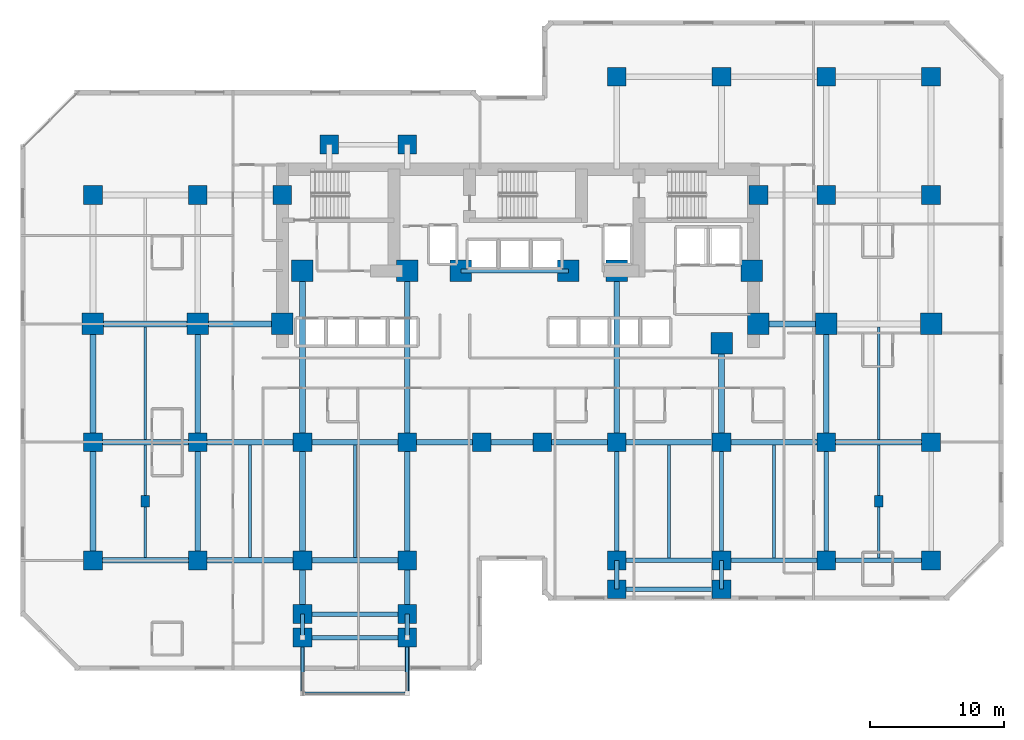
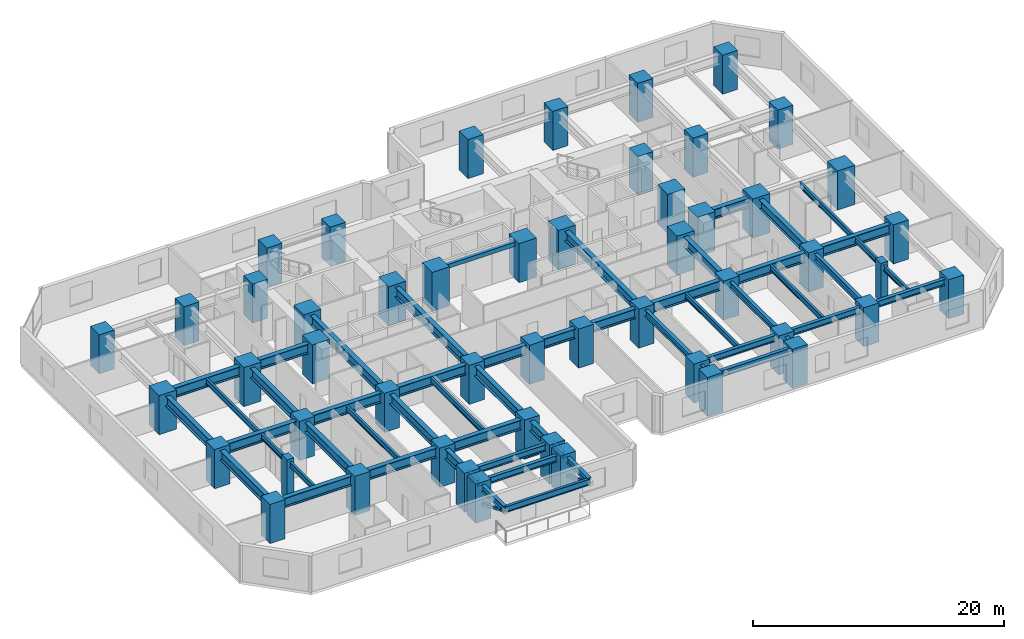
# One storey, part 1 of 12: 53 beams, 51 columns, 2 members.
"""IFC4 building model written with IfcOpenShell, lengths in metres."""

import ifcopenshell
import ifcopenshell.guid

model = None  # the IFC model being written
_history = None  # IfcOwnerHistory: only IFC2X3 demands one
_inside = {}  # id of a spatial element -> (the spatial element, [elements in it])
_under = {}  # id of a project, library or spatial element -> (it, [spatial elements below it])
_declared = {}  # id of a project -> (the project, [libraries it declares])
_typed = {}  # id of a type object -> (the type object, [elements of that type])
_made_of = {}  # id of a material, layer set ... -> (it, [elements and type objects made of it])


def new_model(schema):
    """Start an empty IFC model of exactly this schema.

    Asked for "IFC4X3", IfcOpenShell would pick the latest addendum, in which some entities
    have other attributes; the version numbers below select the first issue.
    IFC2X3 requires an IfcOwnerHistory on every rooted entity: one is made here for all.
    """
    global model, _history
    if schema == "IFC4X3":
        model = ifcopenshell.file(schema_version=(4, 3, 0, 0))
    else:
        model = ifcopenshell.file(schema=schema)
    _inside.clear()
    _under.clear()
    _declared.clear()
    _typed.clear()
    _made_of.clear()
    _history = None
    if model.schema == "IFC2X3":
        org = make("IfcOrganization", Name="unknown")
        user = make(
            "IfcPersonAndOrganization",
            ThePerson=make("IfcPerson", FamilyName="unknown"),
            TheOrganization=org,
        )
        app = make(
            "IfcApplication",
            ApplicationDeveloper=org,
            Version="unknown",
            ApplicationFullName="unknown",
            ApplicationIdentifier="unknown",
        )
        _history = make(
            "IfcOwnerHistory",
            OwningUser=user,
            OwningApplication=app,
            ChangeAction="ADDED",
            CreationDate=0,
        )
    return model


def make(cls, **values):
    """One entity of the class cls with the attributes given. An attribute that is None is left unset."""
    return model.create_entity(
        cls, **{name: value for name, value in values.items() if value is not None}
    )


def rooted(cls, **values):
    """An entity with a GlobalId (a new one), such as an element, a storey or a relation."""
    return make(cls, GlobalId=ifcopenshell.guid.new(), OwnerHistory=_history, **values)


def si_unit(unit_type, name, prefix=None):
    """IfcSIUnit, for example si_unit("LENGTHUNIT", "METRE", prefix="MILLI")."""
    return make("IfcSIUnit", UnitType=unit_type, Prefix=prefix, Name=name)


def assignment(units):
    """IfcUnitAssignment: the units of a project."""
    return None if units is None else make("IfcUnitAssignment", Units=units)


def point(xyz):
    """IfcCartesianPoint."""
    return None if xyz is None else make("IfcCartesianPoint", Coordinates=xyz)


def direction(xyz):
    """IfcDirection."""
    return None if xyz is None else make("IfcDirection", DirectionRatios=xyz)


def frame(location, z_axis=None, x_axis=None):
    """IfcAxis2Placement3D, a coordinate frame: its origin and axes. An axis left out is left unset."""
    return make(
        "IfcAxis2Placement3D",
        Location=point(location),
        Axis=direction(z_axis),
        RefDirection=direction(x_axis),
    )


def frame_2d(location, x_axis=None):
    """IfcAxis2Placement2D, a coordinate frame in the plane: its origin and x axis."""
    return make(
        "IfcAxis2Placement2D", Location=point(location), RefDirection=direction(x_axis)
    )


def origin():
    """The frame at (0, 0, 0) with its axes left unset."""
    return frame((0.0, 0.0, 0.0))


def origin_2d():
    """The frame at (0, 0) in the plane with its x axis left unset."""
    return frame_2d((0.0, 0.0))


def place(relative_to, where):
    """IfcLocalPlacement: puts the frame where relative to a parent placement (None: the world)."""
    return make(
        "IfcLocalPlacement", PlacementRelTo=relative_to, RelativePlacement=where
    )


def context(
    kind, dimensions, precision=None, world=None, true_north=None, identifier=None
):
    """IfcGeometricRepresentationContext, for example the 3D "Model" context."""
    return make(
        "IfcGeometricRepresentationContext",
        ContextIdentifier=identifier,
        ContextType=kind,
        CoordinateSpaceDimension=dimensions,
        Precision=precision,
        WorldCoordinateSystem=world,
        TrueNorth=true_north,
    )


def subcontext(parent, identifier, kind, view, scale=None):
    """IfcGeometricRepresentationSubContext, for example "Body" below "Model"."""
    return make(
        "IfcGeometricRepresentationSubContext",
        ContextIdentifier=identifier,
        ContextType=kind,
        ParentContext=parent,
        TargetScale=scale,
        TargetView=view,
    )


def project(units=None, contexts=None):
    """IfcProject with its units and contexts."""
    return rooted(
        "IfcProject",
        Name="project",
        RepresentationContexts=contexts,
        UnitsInContext=assignment(units),
    )


def spatial(cls, under=None, at=None, **own):
    """A site, building, storey or space (cls), placed at a placement, below another one or the project."""
    s = rooted(cls, ObjectPlacement=at, **own)
    if under is not None:
        _under.setdefault(under.id(), (under, []))[1].append(s)
    return s


def profile(cls, at=None, kind="AREA", **sizes):
    """A parametric profile (cls). Its sizes go by their IFC names, for example OverallWidth=200.0."""
    return make(cls, ProfileType=kind, Position=at, **sizes)


def rectangle(**sizes):
    """IfcRectangleProfileDef."""
    return profile("IfcRectangleProfileDef", **sizes)


def hollow_rectangle(**sizes):
    """IfcRectangleHollowProfileDef."""
    return profile("IfcRectangleHollowProfileDef", **sizes)


def i_section(**sizes):
    """IfcIShapeProfileDef."""
    return profile("IfcIShapeProfileDef", **sizes)


def extrude(swept, where, along, depth):
    """IfcExtrudedAreaSolid: the profile swept, set in the frame where, extruded along a direction by depth."""
    return make(
        "IfcExtrudedAreaSolid",
        SweptArea=swept,
        Position=where,
        ExtrudedDirection=direction(along),
        Depth=depth,
    )


def shape(context_of_items, identifier, shape_type, items):
    """IfcShapeRepresentation: the items that make up one representation, for example the "Body"."""
    return make(
        "IfcShapeRepresentation",
        ContextOfItems=context_of_items,
        RepresentationIdentifier=identifier,
        RepresentationType=shape_type,
        Items=items,
    )


def material(Name=None, Category=None):
    """IfcMaterial."""
    return make("IfcMaterial", Name=Name, Category=Category)


def material_profile(
    of_material, cross_section, Name=None, Category=None, Priority=None
):
    """IfcMaterialProfile: a cross section and its material."""
    return make(
        "IfcMaterialProfile",
        Name=Name,
        Material=of_material,
        Profile=cross_section,
        Priority=Priority,
        Category=Category,
    )


def profile_set(profiles, Name=None, composite=None):
    """IfcMaterialProfileSet."""
    return make(
        "IfcMaterialProfileSet",
        Name=Name,
        MaterialProfiles=profiles,
        CompositeProfile=composite,
    )


def made_of(thing, what):
    """Note that an element or type object is made of a material, layer set ...; save() writes the relation."""
    if what is not None:
        _made_of.setdefault(what.id(), (what, []))[1].append(thing)
    return thing


def type_object(cls, material=None, **own):
    """A type object (cls), such as IfcWallType, which elements share."""
    return made_of(rooted(cls, **own), material)


def element(
    cls,
    number,
    at=None,
    inside=None,
    cuts=None,
    type_object=None,
    material=None,
    context=None,
    identifier="Body",
    shape_type=None,
    held_by="IfcProductDefinitionShape",
    body=None,
    shapes=None,
    **own,
):
    """One element of the class cls, such as IfcWall. Its Tag is "e" and its number.

    at: its placement. inside: the storey or other place that contains it. cuts: it is an
    opening in that element (IfcRelVoidsElement). A single representation is given by context,
    identifier, shape_type and body (its items); several are given by shapes. held_by: the class
    of the entity that holds the representations. save() writes the other relations.
    """
    e = rooted(cls, Tag="e%d" % number, ObjectPlacement=at, **own)
    if body is not None:
        shapes = [shape(context, identifier, shape_type, body)]
    if shapes is not None:
        e.Representation = make(held_by, Representations=shapes)
    if inside is not None:
        _inside.setdefault(inside.id(), (inside, []))[1].append(e)
    if cuts is not None:
        rooted(
            "IfcRelVoidsElement", RelatingBuildingElement=cuts, RelatedOpeningElement=e
        )
    if type_object is not None:
        _typed.setdefault(type_object.id(), (type_object, []))[1].append(e)
    return made_of(e, material)


def aggregate(whole, parts):
    """IfcRelAggregates: a whole, such as a stair, and the parts it consists of."""
    return rooted("IfcRelAggregates", RelatingObject=whole, RelatedObjects=parts)


def save(model, path):
    """Write the relations noted so far, then the file.

    IfcRelAggregates (storeys below a building ...), IfcRelContainedInSpatialStructure (elements
    in a storey), IfcRelDefinesByType, IfcRelAssociatesMaterial and IfcRelDeclares: one each for
    every whole, place, type object, material and project.
    """
    for whole, parts in _under.values():
        aggregate(whole, parts)
    for where, things in _inside.values():
        rooted(
            "IfcRelContainedInSpatialStructure",
            RelatedElements=things,
            RelatingStructure=where,
        )
    for kind, things in _typed.values():
        rooted("IfcRelDefinesByType", RelatedObjects=things, RelatingType=kind)
    for what, things in _made_of.values():
        rooted("IfcRelAssociatesMaterial", RelatedObjects=things, RelatingMaterial=what)
    for by, libraries in _declared.values():
        rooted("IfcRelDeclares", RelatingContext=by, RelatedDefinitions=libraries)
    model.write(path)


model = new_model("IFC4")

# Units and contexts
model_context = context("Model", 3, precision=1e-05, world=origin(), true_north=direction((0.0, 1.0)))
body_context = subcontext(model_context, "Body", "Model", "MODEL_VIEW")
ifc_project = project(units=[si_unit("LENGTHUNIT", "METRE"), si_unit("AREAUNIT", "SQUARE_METRE"), si_unit("VOLUMEUNIT", "CUBIC_METRE"), si_unit("PLANEANGLEUNIT", "RADIAN"), si_unit("MASSUNIT", "GRAM", prefix="KILO")], contexts=[model_context])

# Site, building, storey
site_placement = place(None, origin())
site = spatial("IfcSite", under=ifc_project, at=site_placement, CompositionType="ELEMENT")
building_placement = place(site_placement, origin())
building = spatial("IfcBuilding", under=site, at=building_placement, Name="Kestravale Grand Hotel", CompositionType="ELEMENT")
storey_placement = place(building_placement, frame((0.0, 0.0, 67.800048828125)))
storey = spatial("IfcBuildingStorey", under=building, at=storey_placement, Name="L16", CompositionType="ELEMENT", Elevation=67.800048828125)

# Columns
ifc_material_1 = material(Name="Concrete f'c 70 MPa", Category="concrete")
ifc_material_profile_1 = material_profile(ifc_material_1, rectangle(XDim=1.39990234375, YDim=1.39990234375, at=origin_2d()))
ifc_profile_set_1 = profile_set([ifc_material_profile_1], Name="Concrete f'c 70 MPa")
column_type_1 = type_object("IfcColumnType", Name="C-Z1-1400", PredefinedType="COLUMN", material=ifc_profile_set_1)
for number, where, z_axis, x_axis, name in (
    (1, (7.800048828125, 11.199951171875, 0.0), (0.0, 0.0, 1.0), (1.0, 0.0, 0.0), "L16 column 2-C"),
    (2, (7.800048828125, 20.0, 0.0), (0.0, 0.0, 1.0), (1.0, 0.0, 0.0), "L16 column 2-D"),
    (3, (7.800048828125, 38.39990234375, 0.0), (0.0, 0.0, 1.0), (1.0, 0.0, 0.0), "L16 column 2-F"),
    (4, (15.60009765625, 11.199951171875, 0.0), (0.0, 0.0, 1.0), (1.0, 0.0, 0.0), "L16 column 3-C"),
    (5, (15.60009765625, 20.0, 0.0), (0.0, 0.0, 1.0), (1.0, 0.0, 0.0), "L16 column 3-D"),
    (6, (15.60009765625, 38.39990234375, 0.0), (0.0, 0.0, 1.0), (1.0, 0.0, 0.0), "L16 column 3-F"),
    (7, (23.39990234375, 11.199951171875, 0.0), (0.0, 0.0, 1.0), (1.0, 0.0, 0.0), "L16 column 4-C"),
    (8, (23.39990234375, 20.0, 0.0), (0.0, 0.0, 1.0), (1.0, 0.0, 0.0), "L16 column 4-D"),
    (9, (31.199951171875, 11.199951171875, 0.0), (0.0, 0.0, 1.0), (1.0, 0.0, 0.0), "L16 column 5-C"),
    (10, (31.199951171875, 20.0, 0.0), (0.0, 0.0, 1.0), (1.0, 0.0, 0.0), "L16 column 5-D"),
    (11, (36.75, 20.0, 0.0), (0.0, 0.0, 1.0), (1.0, 0.0, 0.0), "L16 column 6-D"),
    (12, (41.25, 20.0, 0.0), (0.0, 0.0, 1.0), (1.0, 0.0, 0.0), "L16 column 7-D"),
    (13, (46.800048828125, 11.199951171875, 0.0), (0.0, 0.0, 1.0), (1.0, 0.0, 0.0), "L16 column 8-C"),
    (14, (46.800048828125, 20.0, 0.0), (0.0, 0.0, 1.0), (1.0, 0.0, 0.0), "L16 column 8-D"),
    (15, (46.800048828125, 47.199951171875, 0.0), (0.0, 0.0, 1.0), (1.0, 0.0, 0.0), "L16 column 8-G"),
    (16, (54.60009765625, 11.199951171875, 0.0), (0.0, 0.0, 1.0), (1.0, 0.0, 0.0), "L16 column 9-C"),
    (17, (54.60009765625, 20.0, 0.0), (0.0, 0.0, 1.0), (1.0, 0.0, 0.0), "L16 column 9-D"),
    (18, (54.60009765625, 47.199951171875, 0.0), (0.0, 0.0, 1.0), (1.0, 0.0, 0.0), "L16 column 9-G"),
    (19, (62.39990234375, 11.199951171875, 0.0), (0.0, 0.0, 1.0), (1.0, 0.0, 0.0), "L16 column 10-C"),
    (20, (62.39990234375, 20.0, 0.0), (0.0, 0.0, 1.0), (1.0, 0.0, 0.0), "L16 column 10-D"),
    (21, (62.39990234375, 38.39990234375, 0.0), (0.0, 0.0, 1.0), (1.0, 0.0, 0.0), "L16 column 10-F"),
    (22, (62.39990234375, 47.199951171875, 0.0), (0.0, 0.0, 1.0), (1.0, 0.0, 0.0), "L16 column 10-G"),
    (23, (70.199951171875, 11.199951171875, 0.0), (0.0, 0.0, 1.0), (1.0, 0.0, 0.0), "L16 column 11-C"),
    (24, (70.199951171875, 20.0, 0.0), (0.0, 0.0, 1.0), (1.0, 0.0, 0.0), "L16 column 11-D"),
    (25, (70.199951171875, 38.39990234375, 0.0), (0.0, 0.0, 1.0), (1.0, 0.0, 0.0), "L16 column 11-F"),
    (26, (70.199951171875, 47.199951171875, 0.0), (0.0, 0.0, 1.0), (1.0, 0.0, 0.0), "L16 column 11-G"),
    (27, (21.89990234375, 38.39990234375, 0.0), (0.0, 0.0, 1.0), (1.0, 0.0, 0.0), "L16 column CW-F"),
    (28, (57.35009765625, 38.39990234375, 0.0), (0.0, 0.0, 1.0), (1.0, 0.0, 0.0), "L16 column CE-F"),
    (29, (23.39990234375, 7.199951171875, 0.0), (0.0, 0.0, 1.0), (1.0, 0.0, 0.0), "L16 column 4-BS"),
    (30, (31.199951171875, 7.199951171875, 0.0), (0.0, 0.0, 1.0), (1.0, 0.0, 0.0), "L16 column 5-BS"),
    (31, (25.39990234375, 42.14990234375, 0.0), (0.0, 0.0, 1.0), (1.0, 0.0, 0.0), "L16 column 4-FN"),
    (32, (31.199951171875, 42.14990234375, 0.0), (0.0, 0.0, 1.0), (1.0, 0.0, 0.0), "L16 column 5-FN"),
    (33, (23.39990234375, 5.449951171875, 0.0), (0.0, 0.0, 1.0), (1.0, 0.0, 0.0), "L16 column 4-B1S"),
    (34, (31.199951171875, 5.449951171875, 0.0), (0.0, 0.0, 1.0), (1.0, 0.0, 0.0), "L16 column 5-B1S"),
    (35, (46.800048828125, 9.050048828125, 0.0), (0.0, 0.0, 1.0), (1.0, 0.0, 0.0), "L16 column 8-B1E"),
    (36, (54.60009765625, 9.050048828125, 0.0), (0.0, 0.0, 1.0), (1.0, 0.0, 0.0), "L16 column 9-B1E"),
):
    element("IfcColumn", number, at=place(storey_placement, frame(where, z_axis=z_axis, x_axis=x_axis)), inside=storey, type_object=column_type_1, Name=name, PredefinedType="COLUMN", context=body_context, shape_type="SweptSolid", body=[
        extrude(rectangle(XDim=1.39990234375, YDim=1.39990234375, at=origin_2d()), origin(), (0.0, 0.0, 1.0), 3.800048828125),
    ])
ifc_material_2 = material(Name="Concrete f'c 70 MPa", Category="concrete")
ifc_material_profile_2 = material_profile(ifc_material_2, rectangle(XDim=1.60009765625, YDim=1.60009765625, at=origin_2d()))
ifc_profile_set_2 = profile_set([ifc_material_profile_2], Name="Concrete f'c 70 MPa")
column_type_2 = type_object("IfcColumnType", Name="C-Z1-1600", PredefinedType="COLUMN", material=ifc_profile_set_2)
for number, where, z_axis, x_axis, name in (
    (37, (7.800048828125, 28.800048828125, 0.0), (0.0, 0.0, 1.0), (1.0, 0.0, 0.0), "L16 column 2-E"),
    (38, (15.60009765625, 28.800048828125, 0.0), (0.0, 0.0, 1.0), (1.0, 0.0, 0.0), "L16 column 3-E"),
    (39, (62.39990234375, 28.800048828125, 0.0), (0.0, 0.0, 1.0), (1.0, 0.0, 0.0), "L16 column 10-E"),
    (40, (70.199951171875, 28.800048828125, 0.0), (0.0, 0.0, 1.0), (1.0, 0.0, 0.0), "L16 column 11-E"),
    (41, (21.89990234375, 28.800048828125, 0.0), (0.0, 0.0, 1.0), (1.0, 0.0, 0.0), "L16 column CW-E"),
    (42, (57.35009765625, 28.800048828125, 0.0), (0.0, 0.0, 1.0), (1.0, 0.0, 0.0), "L16 column CE-E"),
    (43, (23.39990234375, 32.75, 0.0), (0.0, 0.0, 1.0), (1.0, 0.0, 0.0), "L16 column 4-CS"),
    (44, (31.199951171875, 32.75, 0.0), (0.0, 0.0, 1.0), (1.0, 0.0, 0.0), "L16 column 5-CS"),
    (45, (35.199951171875, 32.75, 0.0), (0.0, 0.0, 1.0), (1.0, 0.0, 0.0), "L16 column 6C-CS"),
    (46, (43.199951171875, 32.75, 0.0), (0.0, 0.0, 1.0), (1.0, 0.0, 0.0), "L16 column 7C-CS"),
    (47, (46.800048828125, 32.75, 0.0), (0.0, 0.0, 1.0), (1.0, 0.0, 0.0), "L16 column 8-CS"),
    (48, (54.60009765625, 27.35009765625, 0.0), (0.0, 0.0, 1.0), (1.0, 0.0, 0.0), "L16 column 9-CS"),
    (49, (56.85009765625, 32.75, 0.0), (0.0, 0.0, 1.0), (1.0, 0.0, 0.0), "L16 column 9C-CS"),
):
    element("IfcColumn", number, at=place(storey_placement, frame(where, z_axis=z_axis, x_axis=x_axis)), inside=storey, type_object=column_type_2, Name=name, PredefinedType="COLUMN", context=body_context, shape_type="SweptSolid", body=[
        extrude(rectangle(XDim=1.60009765625, YDim=1.60009765625, at=origin_2d()), origin(), (0.0, 0.0, 1.0), 3.800048828125),
    ])
ifc_material_3 = material(Name="Precast concrete f'c 45 MPa", Category="concrete")
ifc_material_profile_3 = material_profile(ifc_material_3, rectangle(XDim=0.64990234375, YDim=0.85009765625, at=origin_2d()))
ifc_profile_set_3 = profile_set([ifc_material_profile_3], Name="Precast concrete f'c 45 MPa")
column_type_3 = type_object("IfcColumnType", Name="C-Z1-PIL850", PredefinedType="PILASTER", material=ifc_profile_set_3)
for number, where, z_axis, x_axis, name in (
    (50, (11.699951171875, 15.60009765625, 0.0), (0.0, 0.0, 1.0), (1.0, 0.0, 0.0), "L16 Art Deco fluted pilaster P1"),
    (51, (66.300048828125, 15.60009765625, 0.0), (0.0, 0.0, 1.0), (1.0, 0.0, 0.0), "L16 Art Deco fluted pilaster P2"),
):
    element("IfcColumn", number, at=place(storey_placement, frame(where, z_axis=z_axis, x_axis=x_axis)), inside=storey, type_object=column_type_3, Name=name, PredefinedType="PILASTER", context=body_context, shape_type="SweptSolid", body=[
        extrude(rectangle(XDim=0.64990234375, YDim=0.85009765625, at=origin_2d()), origin(), (0.0, 0.0, 1.0), 3.800048828125),
    ])

# Beams
ifc_material_4 = material(Name="Steel ASTM A992 Grade 50", Category="steel")
ifc_material_profile_4 = material_profile(ifc_material_4, i_section(OverallWidth=0.2099609375, OverallDepth=0.535888671875, WebThickness=0.010986328125, FlangeThickness=0.017333984375, FilletRadius=0.017578125, at=origin_2d()))
ifc_profile_set_4 = profile_set([ifc_material_profile_4], Name="Steel ASTM A992 Grade 50")
beam_type_1 = type_object("IfcBeamType", Name="B-FLR-JST21", PredefinedType="JOIST", material=ifc_profile_set_4)
for number, where, z_axis, x_axis, name in (
    (52, (11.699951171875, 11.412109375, 3.27197265625), (0.0, 1.0, 0.0), (-1.0, 0.0, 0.0), "L16 floor joist 2-3/C-D #1"),
    (53, (11.699951171875, 20.2119140625, 3.27197265625), (0.0, 1.0, 0.0), (-1.0, 0.0, 0.0), "L16 floor joist 2-3/D-E #1"),
    (54, (19.5, 11.412109375, 3.27197265625), (0.0, 1.0, 0.0), (-1.0, 0.0, 0.0), "L16 floor joist 3-4/C-D #1"),
    (55, (27.300048828125, 11.412109375, 3.27197265625), (0.0, 1.0, 0.0), (-1.0, 0.0, 0.0), "L16 floor joist 4-5/C-D #1"),
):
    element("IfcBeam", number, at=place(storey_placement, frame(where, z_axis=z_axis, x_axis=x_axis)), inside=storey, type_object=beam_type_1, Name=name, PredefinedType="JOIST", context=body_context, shape_type="SweptSolid", body=[
        extrude(i_section(OverallWidth=0.2099609375, OverallDepth=0.535888671875, WebThickness=0.010986328125, FlangeThickness=0.017333984375, FilletRadius=0.017578125, at=origin_2d()), origin(), (0.0, 0.0, 1.0), 8.3759765625),
    ])
for number, where, z_axis, x_axis, name in (
    (56, (50.699951171875, 11.362548828125, 3.27197265625), (0.0, 1.0, 0.0), (-1.0, 0.0, 0.0), "L16 floor joist 8-9/C-D #1"),
    (57, (58.5, 11.362548828125, 3.27197265625), (0.0, 1.0, 0.0), (-1.0, 0.0, 0.0), "L16 floor joist 9-10/C-D #1"),
    (58, (66.300048828125, 11.362548828125, 3.27197265625), (0.0, 1.0, 0.0), (-1.0, 0.0, 0.0), "L16 floor joist 10-11/C-D #1"),
):
    element("IfcBeam", number, at=place(storey_placement, frame(where, z_axis=z_axis, x_axis=x_axis)), inside=storey, type_object=beam_type_1, Name=name, PredefinedType="JOIST", context=body_context, shape_type="SweptSolid", body=[
        extrude(i_section(OverallWidth=0.2099609375, OverallDepth=0.535888671875, WebThickness=0.010986328125, FlangeThickness=0.017333984375, FilletRadius=0.017578125, at=origin_2d()), origin(), (0.0, 0.0, 1.0), 8.425537109375),
    ])
beam_1_placement = place(storey_placement, frame((66.300048828125, 20.2119140625, 3.27197265625), z_axis=(0.0, 1.0, 0.0), x_axis=(-1.0, 0.0, 0.0)))
element("IfcBeam", 59, at=beam_1_placement, inside=storey, type_object=beam_type_1, Name="L16 floor joist 10-11/D-E #1", PredefinedType="JOIST", context=body_context, shape_type="SweptSolid", body=[
    extrude(i_section(OverallWidth=0.2099609375, OverallDepth=0.535888671875, WebThickness=0.010986328125, FlangeThickness=0.017333984375, FilletRadius=0.017578125, at=origin_2d()), origin(), (0.0, 0.0, 1.0), 8.3759765625),
])
ifc_material_5 = material(Name="Concrete f'c 45 MPa", Category="concrete")
ifc_material_profile_5 = material_profile(ifc_material_5, rectangle(XDim=0.300048828125, YDim=0.39990234375, at=origin_2d()))
ifc_profile_set_5 = profile_set([ifc_material_profile_5], Name="Concrete f'c 45 MPa")
beam_type_2 = type_object("IfcBeamType", Name="B-FLR-LNT400", PredefinedType="LINTEL", material=ifc_profile_set_5)
beam_2_placement = place(storey_placement, frame((35.199951171875, 32.75, 3.33984375), z_axis=(1.0, 0.0, 0.0), x_axis=(0.0, 1.0, 0.0)))
element("IfcBeam", 60, at=beam_2_placement, inside=storey, type_object=beam_type_2, Name="L16 core portal header lintel", PredefinedType="LINTEL", context=body_context, shape_type="SweptSolid", body=[
    extrude(rectangle(XDim=0.300048828125, YDim=0.39990234375, at=origin_2d()), origin(), (0.0, 0.0, 1.0), 8.0),
])
ifc_material_6 = material(Name="Steel ASTM A992 Grade 50", Category="steel")
ifc_material_profile_6 = material_profile(ifc_material_6, i_section(OverallWidth=0.324951171875, OverallDepth=0.612060546875, WebThickness=0.0126953125, FlangeThickness=0.01904296875, FilletRadius=0.018798828125, at=origin_2d()))
ifc_profile_set_6 = profile_set([ifc_material_profile_6], Name="Steel ASTM A992 Grade 50")
beam_type_3 = type_object("IfcBeamType", Name="B-FLR-W24A", PredefinedType="SPANDREL", material=ifc_profile_set_6)
beam_3_placement = place(storey_placement, frame((46.800048828125, 11.199951171875, 3.23388671875), z_axis=(1.0, 0.0, 0.0), x_axis=(0.0, 1.0, 0.0)))
element("IfcBeam", 61, at=beam_3_placement, inside=storey, type_object=beam_type_3, Name="L16 spandrel C:8-9", PredefinedType="SPANDREL", context=body_context, shape_type="SweptSolid", body=[
    extrude(i_section(OverallWidth=0.324951171875, OverallDepth=0.612060546875, WebThickness=0.0126953125, FlangeThickness=0.01904296875, FilletRadius=0.018798828125, at=origin_2d()), origin(), (0.0, 0.0, 1.0), 7.800048828125),
])
beam_4_placement = place(storey_placement, frame((54.60009765625, 11.199951171875, 3.23388671875), z_axis=(1.0, 0.0, 0.0), x_axis=(0.0, 1.0, 0.0)))
element("IfcBeam", 62, at=beam_4_placement, inside=storey, type_object=beam_type_3, Name="L16 spandrel C:9-10", PredefinedType="SPANDREL", context=body_context, shape_type="SweptSolid", body=[
    extrude(i_section(OverallWidth=0.324951171875, OverallDepth=0.612060546875, WebThickness=0.0126953125, FlangeThickness=0.01904296875, FilletRadius=0.018798828125, at=origin_2d()), origin(), (0.0, 0.0, 1.0), 7.7998046875),
])
for number, where, z_axis, x_axis, name in (
    (63, (62.39990234375, 11.199951171875, 3.23388671875), (1.0, 0.0, 0.0), (0.0, 1.0, 0.0), "L16 spandrel C:10-11"),
    (64, (23.39990234375, 5.449951171875, 3.23388671875), (1.0, 0.0, 0.0), (0.0, 1.0, 0.0), "L16 perimeter tie spandrel B1S:4-5"),
    (65, (46.800048828125, 9.050048828125, 3.23388671875), (1.0, 0.0, 0.0), (0.0, 1.0, 0.0), "L16 perimeter tie spandrel B1E:8-9"),
    (66, (23.39990234375, 7.199951171875, 3.23388671875), (1.0, 0.0, 0.0), (0.0, 1.0, 0.0), "L16 perimeter tie spandrel BS:4-5"),
):
    element("IfcBeam", number, at=place(storey_placement, frame(where, z_axis=z_axis, x_axis=x_axis)), inside=storey, type_object=beam_type_3, Name=name, PredefinedType="SPANDREL", context=body_context, shape_type="SweptSolid", body=[
        extrude(i_section(OverallWidth=0.324951171875, OverallDepth=0.612060546875, WebThickness=0.0126953125, FlangeThickness=0.01904296875, FilletRadius=0.018798828125, at=origin_2d()), origin(), (0.0, 0.0, 1.0), 7.800048828125),
    ])
for number, where, z_axis, x_axis, name in (
    (67, (23.39990234375, 5.449951171875, 3.23388671875), (0.0, 1.0, 0.0), (-1.0, 0.0, 0.0), "L16 spandrel 4:B1S-BS"),
    (68, (31.199951171875, 5.449951171875, 3.23388671875), (0.0, 1.0, 0.0), (-1.0, 0.0, 0.0), "L16 spandrel 5:B1S-BS"),
):
    element("IfcBeam", number, at=place(storey_placement, frame(where, z_axis=z_axis, x_axis=x_axis)), inside=storey, type_object=beam_type_3, Name=name, PredefinedType="SPANDREL", context=body_context, shape_type="SweptSolid", body=[
        extrude(i_section(OverallWidth=0.324951171875, OverallDepth=0.612060546875, WebThickness=0.0126953125, FlangeThickness=0.01904296875, FilletRadius=0.018798828125, at=origin_2d()), origin(), (0.0, 0.0, 1.0), 1.75),
    ])
beam_5_placement = place(storey_placement, frame((46.800048828125, 9.050048828125, 3.23388671875), z_axis=(0.0, 1.0, 0.0), x_axis=(-1.0, 0.0, 0.0)))
element("IfcBeam", 69, at=beam_5_placement, inside=storey, type_object=beam_type_3, Name="L16 spandrel 8:B1E-C", PredefinedType="SPANDREL", context=body_context, shape_type="SweptSolid", body=[
    extrude(i_section(OverallWidth=0.324951171875, OverallDepth=0.612060546875, WebThickness=0.0126953125, FlangeThickness=0.01904296875, FilletRadius=0.018798828125, at=origin_2d()), origin(), (0.0, 0.0, 1.0), 2.14990234375),
])
beam_6_placement = place(storey_placement, frame((46.800048828125, 11.199951171875, 3.23388671875), z_axis=(0.0, 1.0, 0.0), x_axis=(-1.0, 0.0, 0.0)))
element("IfcBeam", 70, at=beam_6_placement, inside=storey, type_object=beam_type_3, Name="L16 spandrel 8:C-D", PredefinedType="SPANDREL", context=body_context, shape_type="SweptSolid", body=[
    extrude(i_section(OverallWidth=0.324951171875, OverallDepth=0.612060546875, WebThickness=0.0126953125, FlangeThickness=0.01904296875, FilletRadius=0.018798828125, at=origin_2d()), origin(), (0.0, 0.0, 1.0), 8.800048828125),
])
beam_7_placement = place(storey_placement, frame((54.60009765625, 9.050048828125, 3.23388671875), z_axis=(0.0, 1.0, 0.0), x_axis=(-1.0, 0.0, 0.0)))
element("IfcBeam", 71, at=beam_7_placement, inside=storey, type_object=beam_type_3, Name="L16 spandrel 9:B1E-C", PredefinedType="SPANDREL", context=body_context, shape_type="SweptSolid", body=[
    extrude(i_section(OverallWidth=0.324951171875, OverallDepth=0.612060546875, WebThickness=0.0126953125, FlangeThickness=0.01904296875, FilletRadius=0.018798828125, at=origin_2d()), origin(), (0.0, 0.0, 1.0), 2.14990234375),
])
for number, where, z_axis, x_axis, name in (
    (72, (54.60009765625, 11.199951171875, 3.23388671875), (0.0, 1.0, 0.0), (-1.0, 0.0, 0.0), "L16 spandrel 9:C-D"),
    (73, (62.39990234375, 11.199951171875, 3.23388671875), (0.0, 1.0, 0.0), (-1.0, 0.0, 0.0), "L16 spandrel 10:C-D"),
):
    element("IfcBeam", number, at=place(storey_placement, frame(where, z_axis=z_axis, x_axis=x_axis)), inside=storey, type_object=beam_type_3, Name=name, PredefinedType="SPANDREL", context=body_context, shape_type="SweptSolid", body=[
        extrude(i_section(OverallWidth=0.324951171875, OverallDepth=0.612060546875, WebThickness=0.0126953125, FlangeThickness=0.01904296875, FilletRadius=0.018798828125, at=origin_2d()), origin(), (0.0, 0.0, 1.0), 8.800048828125),
    ])
for number, where, z_axis, x_axis, name in (
    (74, (23.39990234375, 5.449951171875, 3.223876953125), (0.0, -1.0, 0.0), (1.0, 0.0, 0.0), "L17 terrace cantilever beam 1"),
    (75, (31.199951171875, 5.449951171875, 3.223876953125), (0.0, -1.0, 0.0), (1.0, 0.0, 0.0), "L17 terrace cantilever beam 2"),
):
    element("IfcBeam", number, at=place(storey_placement, frame(where, z_axis=z_axis, x_axis=x_axis)), inside=storey, type_object=beam_type_3, Name=name, PredefinedType="SPANDREL", context=body_context, shape_type="SweptSolid", body=[
        extrude(i_section(OverallWidth=0.324951171875, OverallDepth=0.612060546875, WebThickness=0.0126953125, FlangeThickness=0.01904296875, FilletRadius=0.018798828125, at=origin_2d()), origin(), (0.0, 0.0, 1.0), 4.14990234375),
    ])
ifc_material_7 = material(Name="Steel ASTM A992 Grade 50", Category="steel")
ifc_material_profile_7 = material_profile(ifc_material_7, i_section(OverallWidth=0.22900390625, OverallDepth=0.612060546875, WebThickness=0.011962890625, FlangeThickness=0.01953125, FilletRadius=0.019287109375, at=origin_2d()))
ifc_profile_set_7 = profile_set([ifc_material_profile_7], Name="Steel ASTM A992 Grade 50")
beam_type_4 = type_object("IfcBeamType", Name="B-FLR-W24B", PredefinedType="SPANDREL", material=ifc_profile_set_7)
beam_8_placement = place(storey_placement, frame((23.39990234375, 1.300048828125, 3.223876953125), z_axis=(1.0, 0.0, 0.0), x_axis=(0.0, 1.0, 0.0)))
element("IfcBeam", 76, at=beam_8_placement, inside=storey, type_object=beam_type_4, Name="L17 terrace edge spandrel", PredefinedType="SPANDREL", context=body_context, shape_type="SweptSolid", body=[
    extrude(i_section(OverallWidth=0.22900390625, OverallDepth=0.612060546875, WebThickness=0.011962890625, FlangeThickness=0.01953125, FilletRadius=0.019287109375, at=origin_2d()), origin(), (0.0, 0.0, 1.0), 7.800048828125),
])
ifc_material_8 = material(Name="Steel ASTM A992 Grade 50", Category="steel")
ifc_material_profile_8 = material_profile(ifc_material_8, i_section(OverallWidth=0.424072265625, OverallDepth=0.947021484375, WebThickness=0.02392578125, FlangeThickness=0.042724609375, FilletRadius=0.0283203125, at=origin_2d()))
ifc_profile_set_8 = profile_set([ifc_material_profile_8], Name="Steel ASTM A992 Grade 50")
beam_type_5 = type_object("IfcBeamType", Name="B-GRD-W36", PredefinedType="BEAM", material=ifc_profile_set_8)
beam_9_placement = place(storey_placement, frame((7.800048828125, 11.199951171875, 3.06640625), z_axis=(1.0, 0.0, 0.0), x_axis=(0.0, 1.0, 0.0)))
element("IfcBeam", 77, at=beam_9_placement, inside=storey, type_object=beam_type_5, Name="L16 girder C:2-3", PredefinedType="BEAM", context=body_context, shape_type="SweptSolid", body=[
    extrude(i_section(OverallWidth=0.424072265625, OverallDepth=0.947021484375, WebThickness=0.02392578125, FlangeThickness=0.042724609375, FilletRadius=0.0283203125, at=origin_2d()), origin(), (0.0, 0.0, 1.0), 7.800048828125),
])
beam_10_placement = place(storey_placement, frame((15.60009765625, 11.199951171875, 3.06640625), z_axis=(1.0, 0.0, 0.0), x_axis=(0.0, 1.0, 0.0)))
element("IfcBeam", 78, at=beam_10_placement, inside=storey, type_object=beam_type_5, Name="L16 girder C:3-4", PredefinedType="BEAM", context=body_context, shape_type="SweptSolid", body=[
    extrude(i_section(OverallWidth=0.424072265625, OverallDepth=0.947021484375, WebThickness=0.02392578125, FlangeThickness=0.042724609375, FilletRadius=0.0283203125, at=origin_2d()), origin(), (0.0, 0.0, 1.0), 7.7998046875),
])
for number, where, z_axis, x_axis, name in (
    (79, (23.39990234375, 11.199951171875, 3.06640625), (1.0, 0.0, 0.0), (0.0, 1.0, 0.0), "L16 girder C:4-5"),
    (80, (7.800048828125, 20.0, 3.06640625), (1.0, 0.0, 0.0), (0.0, 1.0, 0.0), "L16 girder D:2-3"),
):
    element("IfcBeam", number, at=place(storey_placement, frame(where, z_axis=z_axis, x_axis=x_axis)), inside=storey, type_object=beam_type_5, Name=name, PredefinedType="BEAM", context=body_context, shape_type="SweptSolid", body=[
        extrude(i_section(OverallWidth=0.424072265625, OverallDepth=0.947021484375, WebThickness=0.02392578125, FlangeThickness=0.042724609375, FilletRadius=0.0283203125, at=origin_2d()), origin(), (0.0, 0.0, 1.0), 7.800048828125),
    ])
beam_11_placement = place(storey_placement, frame((15.60009765625, 20.0, 3.06640625), z_axis=(1.0, 0.0, 0.0), x_axis=(0.0, 1.0, 0.0)))
element("IfcBeam", 81, at=beam_11_placement, inside=storey, type_object=beam_type_5, Name="L16 girder D:3-4", PredefinedType="BEAM", context=body_context, shape_type="SweptSolid", body=[
    extrude(i_section(OverallWidth=0.424072265625, OverallDepth=0.947021484375, WebThickness=0.02392578125, FlangeThickness=0.042724609375, FilletRadius=0.0283203125, at=origin_2d()), origin(), (0.0, 0.0, 1.0), 7.7998046875),
])
beam_12_placement = place(storey_placement, frame((23.39990234375, 20.0, 3.06640625), z_axis=(1.0, 0.0, 0.0), x_axis=(0.0, 1.0, 0.0)))
element("IfcBeam", 82, at=beam_12_placement, inside=storey, type_object=beam_type_5, Name="L16 girder D:4-5", PredefinedType="BEAM", context=body_context, shape_type="SweptSolid", body=[
    extrude(i_section(OverallWidth=0.424072265625, OverallDepth=0.947021484375, WebThickness=0.02392578125, FlangeThickness=0.042724609375, FilletRadius=0.0283203125, at=origin_2d()), origin(), (0.0, 0.0, 1.0), 7.800048828125),
])
beam_13_placement = place(storey_placement, frame((31.199951171875, 20.0, 3.06640625), z_axis=(1.0, 0.0, 0.0), x_axis=(0.0, 1.0, 0.0)))
element("IfcBeam", 83, at=beam_13_placement, inside=storey, type_object=beam_type_5, Name="L16 girder D:5-6", PredefinedType="BEAM", context=body_context, shape_type="SweptSolid", body=[
    extrude(i_section(OverallWidth=0.424072265625, OverallDepth=0.947021484375, WebThickness=0.02392578125, FlangeThickness=0.042724609375, FilletRadius=0.0283203125, at=origin_2d()), origin(), (0.0, 0.0, 1.0), 5.550048828125),
])
beam_14_placement = place(storey_placement, frame((36.75, 20.0, 3.06640625), z_axis=(1.0, 0.0, 0.0), x_axis=(0.0, 1.0, 0.0)))
element("IfcBeam", 84, at=beam_14_placement, inside=storey, type_object=beam_type_5, Name="L16 girder D:6-7", PredefinedType="BEAM", context=body_context, shape_type="SweptSolid", body=[
    extrude(i_section(OverallWidth=0.424072265625, OverallDepth=0.947021484375, WebThickness=0.02392578125, FlangeThickness=0.042724609375, FilletRadius=0.0283203125, at=origin_2d()), origin(), (0.0, 0.0, 1.0), 4.5),
])
beam_15_placement = place(storey_placement, frame((41.25, 20.0, 3.06640625), z_axis=(1.0, 0.0, 0.0), x_axis=(0.0, 1.0, 0.0)))
element("IfcBeam", 85, at=beam_15_placement, inside=storey, type_object=beam_type_5, Name="L16 girder D:7-8", PredefinedType="BEAM", context=body_context, shape_type="SweptSolid", body=[
    extrude(i_section(OverallWidth=0.424072265625, OverallDepth=0.947021484375, WebThickness=0.02392578125, FlangeThickness=0.042724609375, FilletRadius=0.0283203125, at=origin_2d()), origin(), (0.0, 0.0, 1.0), 5.550048828125),
])
beam_16_placement = place(storey_placement, frame((46.800048828125, 20.0, 3.06640625), z_axis=(1.0, 0.0, 0.0), x_axis=(0.0, 1.0, 0.0)))
element("IfcBeam", 86, at=beam_16_placement, inside=storey, type_object=beam_type_5, Name="L16 girder D:8-9", PredefinedType="BEAM", context=body_context, shape_type="SweptSolid", body=[
    extrude(i_section(OverallWidth=0.424072265625, OverallDepth=0.947021484375, WebThickness=0.02392578125, FlangeThickness=0.042724609375, FilletRadius=0.0283203125, at=origin_2d()), origin(), (0.0, 0.0, 1.0), 7.800048828125),
])
beam_17_placement = place(storey_placement, frame((54.60009765625, 20.0, 3.06640625), z_axis=(1.0, 0.0, 0.0), x_axis=(0.0, 1.0, 0.0)))
element("IfcBeam", 87, at=beam_17_placement, inside=storey, type_object=beam_type_5, Name="L16 girder D:9-10", PredefinedType="BEAM", context=body_context, shape_type="SweptSolid", body=[
    extrude(i_section(OverallWidth=0.424072265625, OverallDepth=0.947021484375, WebThickness=0.02392578125, FlangeThickness=0.042724609375, FilletRadius=0.0283203125, at=origin_2d()), origin(), (0.0, 0.0, 1.0), 7.7998046875),
])
for number, where, z_axis, x_axis, name in (
    (88, (62.39990234375, 20.0, 3.06640625), (1.0, 0.0, 0.0), (0.0, 1.0, 0.0), "L16 girder D:10-11"),
    (89, (7.800048828125, 28.800048828125, 3.06640625), (1.0, 0.0, 0.0), (0.0, 1.0, 0.0), "L16 girder E:2-3"),
):
    element("IfcBeam", number, at=place(storey_placement, frame(where, z_axis=z_axis, x_axis=x_axis)), inside=storey, type_object=beam_type_5, Name=name, PredefinedType="BEAM", context=body_context, shape_type="SweptSolid", body=[
        extrude(i_section(OverallWidth=0.424072265625, OverallDepth=0.947021484375, WebThickness=0.02392578125, FlangeThickness=0.042724609375, FilletRadius=0.0283203125, at=origin_2d()), origin(), (0.0, 0.0, 1.0), 7.800048828125),
    ])
beam_18_placement = place(storey_placement, frame((15.60009765625, 28.800048828125, 3.06640625), z_axis=(1.0, 0.0, 0.0), x_axis=(0.0, 1.0, 0.0)))
element("IfcBeam", 90, at=beam_18_placement, inside=storey, type_object=beam_type_5, Name="L16 girder E:3-CW", PredefinedType="BEAM", context=body_context, shape_type="SweptSolid", body=[
    extrude(i_section(OverallWidth=0.424072265625, OverallDepth=0.947021484375, WebThickness=0.02392578125, FlangeThickness=0.042724609375, FilletRadius=0.0283203125, at=origin_2d()), origin(), (0.0, 0.0, 1.0), 6.2998046875),
])
beam_19_placement = place(storey_placement, frame((57.35009765625, 28.800048828125, 3.06640625), z_axis=(1.0, 0.0, 0.0), x_axis=(0.0, 1.0, 0.0)))
element("IfcBeam", 91, at=beam_19_placement, inside=storey, type_object=beam_type_5, Name="L16 girder E:CE-10", PredefinedType="BEAM", context=body_context, shape_type="SweptSolid", body=[
    extrude(i_section(OverallWidth=0.424072265625, OverallDepth=0.947021484375, WebThickness=0.02392578125, FlangeThickness=0.042724609375, FilletRadius=0.0283203125, at=origin_2d()), origin(), (0.0, 0.0, 1.0), 5.0498046875),
])
for number, where, z_axis, x_axis, name in (
    (92, (7.800048828125, 11.199951171875, 3.06640625), (0.0, 1.0, 0.0), (-1.0, 0.0, 0.0), "L16 girder 2:C-D"),
    (93, (7.800048828125, 20.0, 3.06640625), (0.0, 1.0, 0.0), (-1.0, 0.0, 0.0), "L16 girder 2:D-E"),
    (94, (15.60009765625, 11.199951171875, 3.06640625), (0.0, 1.0, 0.0), (-1.0, 0.0, 0.0), "L16 girder 3:C-D"),
    (95, (15.60009765625, 20.0, 3.06640625), (0.0, 1.0, 0.0), (-1.0, 0.0, 0.0), "L16 girder 3:D-E"),
):
    element("IfcBeam", number, at=place(storey_placement, frame(where, z_axis=z_axis, x_axis=x_axis)), inside=storey, type_object=beam_type_5, Name=name, PredefinedType="BEAM", context=body_context, shape_type="SweptSolid", body=[
        extrude(i_section(OverallWidth=0.424072265625, OverallDepth=0.947021484375, WebThickness=0.02392578125, FlangeThickness=0.042724609375, FilletRadius=0.0283203125, at=origin_2d()), origin(), (0.0, 0.0, 1.0), 8.800048828125),
    ])
beam_20_placement = place(storey_placement, frame((23.39990234375, 7.199951171875, 3.06640625), z_axis=(0.0, 1.0, 0.0), x_axis=(-1.0, 0.0, 0.0)))
element("IfcBeam", 96, at=beam_20_placement, inside=storey, type_object=beam_type_5, Name="L16 girder 4:BS-C", PredefinedType="BEAM", context=body_context, shape_type="SweptSolid", body=[
    extrude(i_section(OverallWidth=0.424072265625, OverallDepth=0.947021484375, WebThickness=0.02392578125, FlangeThickness=0.042724609375, FilletRadius=0.0283203125, at=origin_2d()), origin(), (0.0, 0.0, 1.0), 4.0),
])
beam_21_placement = place(storey_placement, frame((23.39990234375, 11.199951171875, 3.06640625), z_axis=(0.0, 1.0, 0.0), x_axis=(-1.0, 0.0, 0.0)))
element("IfcBeam", 97, at=beam_21_placement, inside=storey, type_object=beam_type_5, Name="L16 girder 4:C-D", PredefinedType="BEAM", context=body_context, shape_type="SweptSolid", body=[
    extrude(i_section(OverallWidth=0.424072265625, OverallDepth=0.947021484375, WebThickness=0.02392578125, FlangeThickness=0.042724609375, FilletRadius=0.0283203125, at=origin_2d()), origin(), (0.0, 0.0, 1.0), 8.800048828125),
])
beam_22_placement = place(storey_placement, frame((23.39990234375, 20.0, 3.06640625), z_axis=(0.0, 1.0, 0.0), x_axis=(-1.0, 0.0, 0.0)))
element("IfcBeam", 98, at=beam_22_placement, inside=storey, type_object=beam_type_5, Name="L16 girder 4:D-CS", PredefinedType="BEAM", context=body_context, shape_type="SweptSolid", body=[
    extrude(i_section(OverallWidth=0.424072265625, OverallDepth=0.947021484375, WebThickness=0.02392578125, FlangeThickness=0.042724609375, FilletRadius=0.0283203125, at=origin_2d()), origin(), (0.0, 0.0, 1.0), 12.75),
])
beam_23_placement = place(storey_placement, frame((31.199951171875, 7.199951171875, 3.06640625), z_axis=(0.0, 1.0, 0.0), x_axis=(-1.0, 0.0, 0.0)))
element("IfcBeam", 99, at=beam_23_placement, inside=storey, type_object=beam_type_5, Name="L16 girder 5:BS-C", PredefinedType="BEAM", context=body_context, shape_type="SweptSolid", body=[
    extrude(i_section(OverallWidth=0.424072265625, OverallDepth=0.947021484375, WebThickness=0.02392578125, FlangeThickness=0.042724609375, FilletRadius=0.0283203125, at=origin_2d()), origin(), (0.0, 0.0, 1.0), 4.0),
])
beam_24_placement = place(storey_placement, frame((31.199951171875, 11.199951171875, 3.06640625), z_axis=(0.0, 1.0, 0.0), x_axis=(-1.0, 0.0, 0.0)))
element("IfcBeam", 100, at=beam_24_placement, inside=storey, type_object=beam_type_5, Name="L16 girder 5:C-D", PredefinedType="BEAM", context=body_context, shape_type="SweptSolid", body=[
    extrude(i_section(OverallWidth=0.424072265625, OverallDepth=0.947021484375, WebThickness=0.02392578125, FlangeThickness=0.042724609375, FilletRadius=0.0283203125, at=origin_2d()), origin(), (0.0, 0.0, 1.0), 8.800048828125),
])
for number, where, z_axis, x_axis, name in (
    (101, (31.199951171875, 20.0, 3.06640625), (0.0, 1.0, 0.0), (-1.0, 0.0, 0.0), "L16 girder 5:D-CS"),
    (102, (46.800048828125, 20.0, 3.06640625), (0.0, 1.0, 0.0), (-1.0, 0.0, 0.0), "L16 girder 8:D-CS"),
):
    element("IfcBeam", number, at=place(storey_placement, frame(where, z_axis=z_axis, x_axis=x_axis)), inside=storey, type_object=beam_type_5, Name=name, PredefinedType="BEAM", context=body_context, shape_type="SweptSolid", body=[
        extrude(i_section(OverallWidth=0.424072265625, OverallDepth=0.947021484375, WebThickness=0.02392578125, FlangeThickness=0.042724609375, FilletRadius=0.0283203125, at=origin_2d()), origin(), (0.0, 0.0, 1.0), 12.75),
    ])
beam_25_placement = place(storey_placement, frame((54.60009765625, 20.0, 3.06640625), z_axis=(0.0, 1.0, 0.0), x_axis=(-1.0, 0.0, 0.0)))
element("IfcBeam", 103, at=beam_25_placement, inside=storey, type_object=beam_type_5, Name="L16 girder 9:D-CS", PredefinedType="BEAM", context=body_context, shape_type="SweptSolid", body=[
    extrude(i_section(OverallWidth=0.424072265625, OverallDepth=0.947021484375, WebThickness=0.02392578125, FlangeThickness=0.042724609375, FilletRadius=0.0283203125, at=origin_2d()), origin(), (0.0, 0.0, 1.0), 7.35009765625),
])
beam_26_placement = place(storey_placement, frame((62.39990234375, 20.0, 3.06640625), z_axis=(0.0, 1.0, 0.0), x_axis=(-1.0, 0.0, 0.0)))
element("IfcBeam", 104, at=beam_26_placement, inside=storey, type_object=beam_type_5, Name="L16 girder 10:D-E", PredefinedType="BEAM", context=body_context, shape_type="SweptSolid", body=[
    extrude(i_section(OverallWidth=0.424072265625, OverallDepth=0.947021484375, WebThickness=0.02392578125, FlangeThickness=0.042724609375, FilletRadius=0.0283203125, at=origin_2d()), origin(), (0.0, 0.0, 1.0), 8.800048828125),
])

# Members
ifc_material_9 = material(Name="Steel ASTM A500 Grade C", Category="steel")
ifc_material_profile_9 = material_profile(ifc_material_9, hollow_rectangle(XDim=0.25, YDim=0.25, WallThickness=0.011962890625, InnerFilletRadius=0.011962890625, OuterFilletRadius=0.02392578125, at=origin_2d()))
ifc_profile_set_9 = profile_set([ifc_material_profile_9], Name="Steel ASTM A500 Grade C")
member_type = type_object("IfcMemberType", Name="M-BLT-STR250", PredefinedType="STRUT", material=ifc_profile_set_9)
for number, where, z_axis, x_axis, name in (
    (105, (23.39990234375, 5.449951171875, 1.3740234375), (0.0, -0.925369949496, 0.379065240519), (1.0, 0.0, 0.0), "L17 terrace knee-brace strut 1"),
    (106, (31.199951171875, 5.449951171875, 1.3740234375), (0.0, -0.925369949496, 0.379065240519), (1.0, 0.0, 0.0), "L17 terrace knee-brace strut 2"),
):
    element("IfcMember", number, at=place(storey_placement, frame(where, z_axis=z_axis, x_axis=x_axis)), inside=storey, type_object=member_type, Name=name, PredefinedType="STRUT", context=body_context, shape_type="SweptSolid", body=[
        extrude(hollow_rectangle(XDim=0.25, YDim=0.25, WallThickness=0.011962890625, InnerFilletRadius=0.011962890625, OuterFilletRadius=0.02392578125, at=origin_2d()), origin(), (0.0, 0.0, 1.0), 4.484619140625),
    ])

save(model, "model.ifc")
